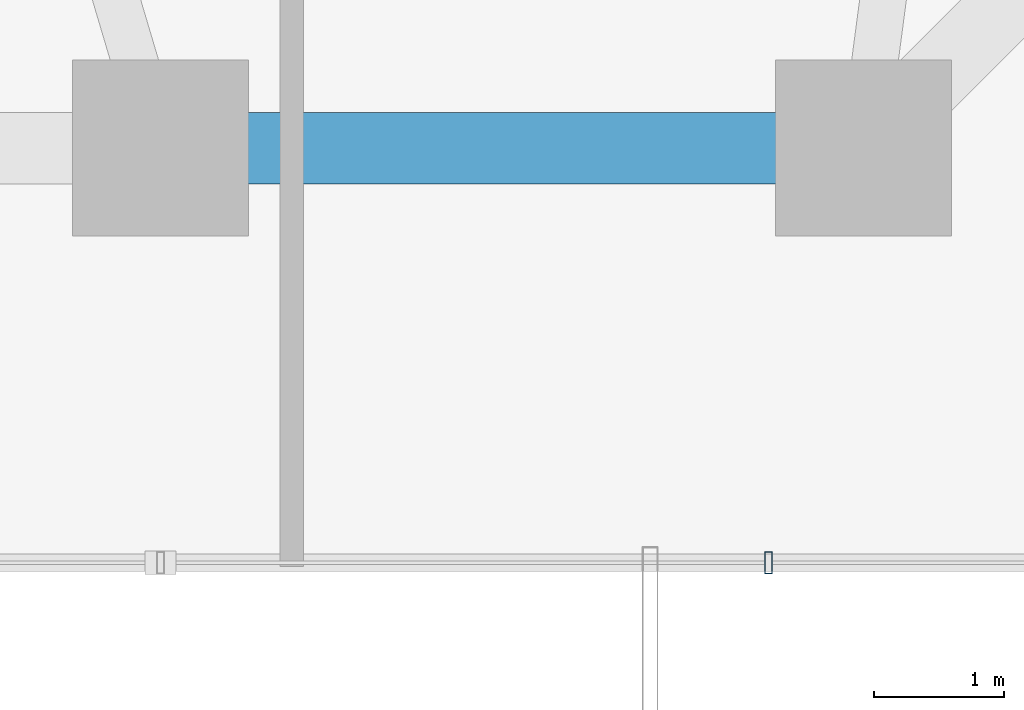
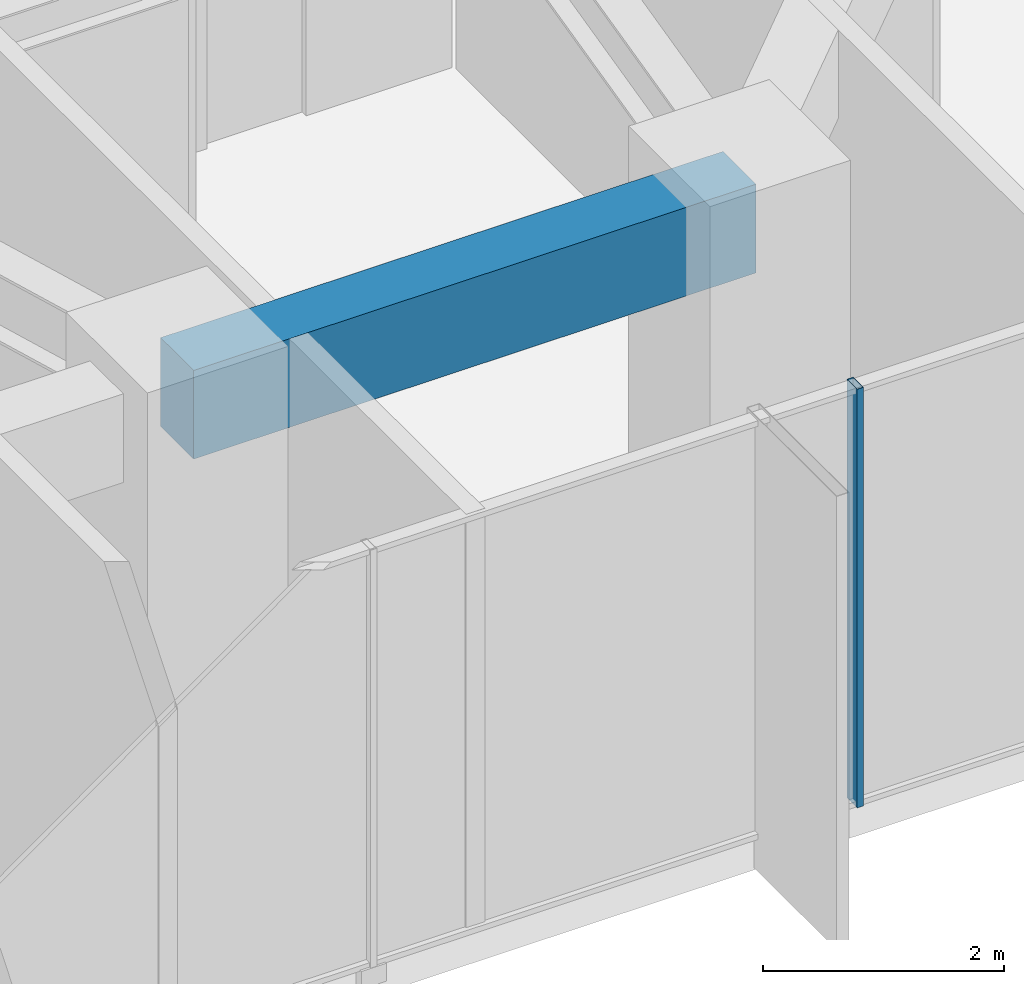
# One storey, part 8 of 39: 1 beam, 1 member, 1 element without a shape of its own.
"""IFC4 building model written with IfcOpenShell, lengths in metres."""

from ifc_helpers import new_model, si_unit, direction, frame, origin, origin_2d, place, context, subcontext, project, spatial, rectangle, hollow_rectangle, extrude, source, transform, mapped, material, layer, layer_set, material_profile, profile_set, type_object, element, aggregate, save


model = new_model("IFC4")

# Units and contexts
model_context = context("Model", 3, precision=1e-05, world=origin(), true_north=direction((0.0, 1.0)))
body_context = subcontext(model_context, "Body", "Model", "MODEL_VIEW")
ifc_project = project(units=[si_unit("LENGTHUNIT", "METRE"), si_unit("AREAUNIT", "SQUARE_METRE"), si_unit("VOLUMEUNIT", "CUBIC_METRE"), si_unit("PLANEANGLEUNIT", "RADIAN"), si_unit("MASSUNIT", "GRAM", prefix="KILO")], contexts=[model_context])

# Site, building, storey
site_placement = place(None, origin())
site = spatial("IfcSite", under=ifc_project, at=site_placement, CompositionType="ELEMENT")
building_placement = place(site_placement, origin())
building = spatial("IfcBuilding", under=site, at=building_placement, Name="Veraguas Prism Commons", CompositionType="ELEMENT")
storey_placement = place(building_placement, frame((0.0, 0.0, 22.800048828125)))
storey = spatial("IfcBuildingStorey", under=building, at=storey_placement, Name="L05", CompositionType="ELEMENT", Elevation=22.800048828125)

# Beam
ifc_material_1 = material(Name="Concrete C50/60", Category="concrete")
ifc_material_profile_1 = material_profile(ifc_material_1, rectangle(XDim=0.550048828125, YDim=0.89990234375, at=origin_2d()), Name="RC550X900")
ifc_profile_set_1 = profile_set([ifc_material_profile_1], Name="Concrete C50/60")
beam_type = type_object("IfcBeamType", Name="Perimeter Spandrel Lower RC 550x900", PredefinedType="SPANDREL", material=ifc_profile_set_1)
beam_placement = place(storey_placement, frame((24.0, 6.39990234375, 3.800048828125), z_axis=(1.0, 0.0, 0.0), x_axis=(0.0, 1.0, 0.0)))
element("IfcBeam", 1, at=beam_placement, inside=storey, type_object=beam_type, Name="Perimeter Spandrel Beam L05-SP11", PredefinedType="SPANDREL", context=body_context, shape_type="SweptSolid", body=[
    extrude(rectangle(XDim=0.550048828125, YDim=0.89990234375, at=origin_2d()), origin(), (0.0, 0.0, 1.0), 5.39990234375),
])

# Curtain wall, member
ifc_material_2 = material(Name="Anodised aluminium EN AW-6063 T6", Category="aluminium")
ifc_layer = layer(ifc_material_2, 0.169921875, Name="Unitised Flush Curtain Wall Zone 1", Category="aluminium")
ifc_layer_set = layer_set([ifc_layer], Name="Anodised aluminium EN AW-6063 T6")
curtain_wall_type = type_object("IfcCurtainWallType", Name="Unitised Flush Curtain Wall Zone 1", PredefinedType="NOTDEFINED", material=ifc_layer_set)
curtain_wall_placement = place(storey_placement, origin())
curtain_wall = element("IfcCurtainWall", 2, at=curtain_wall_placement, inside=storey, type_object=curtain_wall_type, Name="Tower Facade Curtain Wall L05-F5", PredefinedType="NOTDEFINED")
ifc_material_profile_2 = material_profile(ifc_material_2, hollow_rectangle(XDim=0.06005859375, YDim=0.169921875, WallThickness=0.00390625, at=origin_2d()), Name="AL60X170X4")
ifc_profile_set_2 = profile_set([ifc_material_profile_2], Name="Anodised aluminium EN AW-6063 T6")
member_type = type_object("IfcMemberType", Name="Curtain Wall Mullion Lower AL 60x170x4", PredefinedType="MULLION", material=ifc_profile_set_2)
shared_shape = source(origin(), body_context, "Body", "SweptSolid", [
    extrude(hollow_rectangle(XDim=0.06005859375, YDim=0.169921875, WallThickness=0.00390625, at=origin_2d()), origin(), (0.0, 0.0, 1.0), 4.25),
])
member_placement = place(storey_placement, frame((28.6708984375, 3.21533203125, 0.0), z_axis=(0.0, 0.0, 1.0), x_axis=(1.0, 0.0, 0.0)))
member = element("IfcMember", 3, at=member_placement, type_object=member_type, Name="CW-Z1 Mullion 4", PredefinedType="MULLION", context=body_context, shape_type="MappedRepresentation", body=[
    mapped(shared_shape, transform((0.0, 0.0, 0.0), scale=1.0)),
])
aggregate(curtain_wall, [member])

save(model, "model.ifc")
